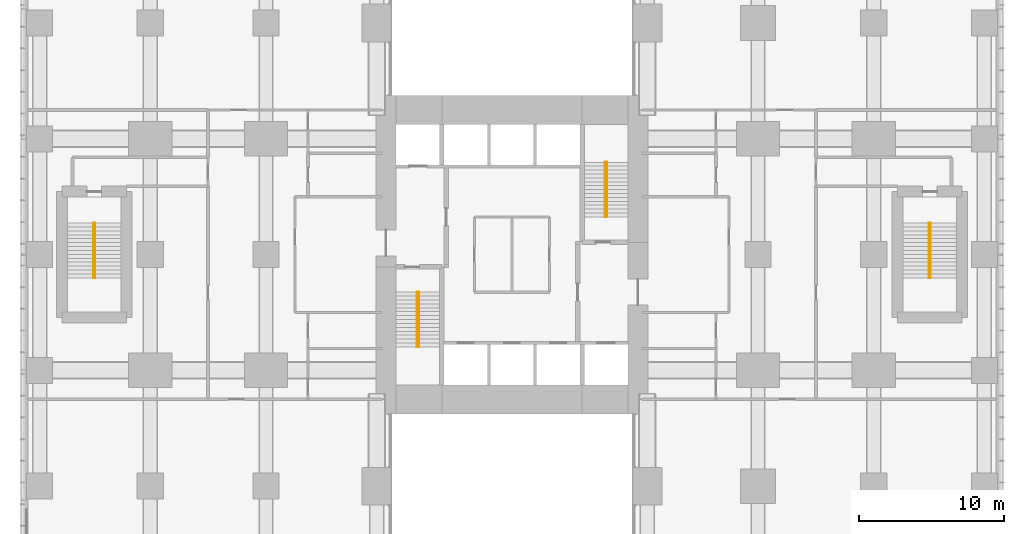
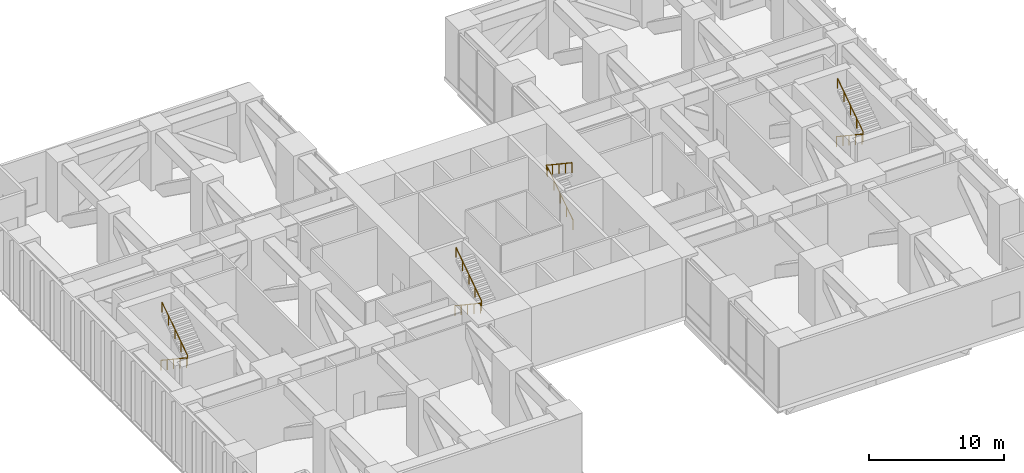
# One storey, part 15 of 15: 8 railings.
"""IFC4 building model written with IfcOpenShell, lengths in metres."""

from ifc_helpers import new_model, si_unit, direction, frame, origin, origin_2d, place, context, subcontext, project, spatial, circle, extrude, material, type_object, element, save


model = new_model("IFC4")

# Units and contexts
model_context = context("Model", 3, precision=1e-05, world=origin(), true_north=direction((0.0, 1.0)))
body_context = subcontext(model_context, "Body", "Model", "MODEL_VIEW")
ifc_project = project(units=[si_unit("LENGTHUNIT", "METRE"), si_unit("AREAUNIT", "SQUARE_METRE"), si_unit("VOLUMEUNIT", "CUBIC_METRE"), si_unit("PLANEANGLEUNIT", "RADIAN"), si_unit("MASSUNIT", "GRAM", prefix="KILO")], contexts=[model_context])

# Site, building, storey
site_placement = place(None, origin())
site = spatial("IfcSite", under=ifc_project, at=site_placement, CompositionType="ELEMENT")
building_placement = place(site_placement, origin())
building = spatial("IfcBuilding", under=site, at=building_placement, Name="Cleftline Residences", CompositionType="ELEMENT")
storey_placement = place(building_placement, frame((0.0, 0.0, 171.800048828125)))
storey = spatial("IfcBuildingStorey", under=building, at=storey_placement, Name="L45", CompositionType="ELEMENT", Elevation=171.800048828125)

# Railings
ifc_material = material(Name="Stainless steel", Category="steel")
railing_type = type_object("IfcRailingType", Name="HANDRAIL 900", PredefinedType="HANDRAIL", material=ifc_material)
railing_1_placement = place(storey_placement, frame((26.449951171875, 21.39990234375, 0.179931640625)))
element("IfcRailing", 1, at=railing_1_placement, inside=storey, type_object=railing_type, Name="Stair handrail", PredefinedType="HANDRAIL", context=body_context, shape_type="SweptSolid", body=[
    extrude(circle(Radius=0.02392578125, at=origin_2d()), frame((0.0, 0.0, 0.8759765625), z_axis=(0.0, -0.832033757966, 0.554724999982), x_axis=(1.0, 0.0, 0.0)), (0.0, 0.0, 1.0), 4.542724609375),
    extrude(circle(Radius=0.02099609375, at=origin_2d()), origin(), (0.0, 0.0, 1.0), 0.851806640625),
    extrude(circle(Radius=0.02099609375, at=origin_2d()), frame((0.0, -0.94482421875, 0.6298828125)), (0.0, 0.0, 1.0), 0.851806640625),
    extrude(circle(Radius=0.02099609375, at=origin_2d()), frame((0.0, -1.889892578125, 1.260009765625)), (0.0, 0.0, 1.0), 0.851806640625),
    extrude(circle(Radius=0.02099609375, at=origin_2d()), frame((0.0, -2.8349609375, 1.89013671875)), (0.0, 0.0, 1.0), 0.851806640625),
    extrude(circle(Radius=0.02099609375, at=origin_2d()), frame((0.0, -3.77978515625, 2.52001953125)), (0.0, 0.0, 1.0), 0.851806640625),
])
for number, where, name in (
    (2, (26.550048828125, 17.6201171875, 2.8798828125), "Stair handrail"),
    (3, (39.550048828125, 26.60009765625, 0.179931640625), "Stair handrail"),
):
    element("IfcRailing", number, at=place(storey_placement, frame(where)), inside=storey, type_object=railing_type, Name=name, PredefinedType="HANDRAIL", context=body_context, shape_type="SweptSolid", body=[
        extrude(circle(Radius=0.02392578125, at=origin_2d()), frame((0.0, 0.0, 0.8759765625), z_axis=(0.0, 0.832033757966, 0.554724999982), x_axis=(-1.0, 0.0, 0.0)), (0.0, 0.0, 1.0), 4.542724609375),
        extrude(circle(Radius=0.02099609375, at=origin_2d()), origin(), (0.0, 0.0, 1.0), 0.851806640625),
        extrude(circle(Radius=0.02099609375, at=origin_2d()), frame((0.0, 0.94482421875, 0.6298828125)), (0.0, 0.0, 1.0), 0.851806640625),
        extrude(circle(Radius=0.02099609375, at=origin_2d()), frame((0.0, 1.889892578125, 1.260009765625)), (0.0, 0.0, 1.0), 0.851806640625),
        extrude(circle(Radius=0.02099609375, at=origin_2d()), frame((0.0, 2.8349609375, 1.89013671875)), (0.0, 0.0, 1.0), 0.851806640625),
        extrude(circle(Radius=0.02099609375, at=origin_2d()), frame((0.0, 3.77978515625, 2.52001953125)), (0.0, 0.0, 1.0), 0.851806640625),
    ])
railing_2_placement = place(storey_placement, frame((39.449951171875, 30.3798828125, 2.8798828125)))
element("IfcRailing", 4, at=railing_2_placement, inside=storey, type_object=railing_type, Name="Stair handrail", PredefinedType="HANDRAIL", context=body_context, shape_type="SweptSolid", body=[
    extrude(circle(Radius=0.02392578125, at=origin_2d()), frame((0.0, 0.0, 0.8759765625), z_axis=(0.0, -0.832033757966, 0.554724999982), x_axis=(1.0, 0.0, 0.0)), (0.0, 0.0, 1.0), 4.542724609375),
    extrude(circle(Radius=0.02099609375, at=origin_2d()), origin(), (0.0, 0.0, 1.0), 0.851806640625),
    extrude(circle(Radius=0.02099609375, at=origin_2d()), frame((0.0, -0.94482421875, 0.6298828125)), (0.0, 0.0, 1.0), 0.851806640625),
    extrude(circle(Radius=0.02099609375, at=origin_2d()), frame((0.0, -1.889892578125, 1.260009765625)), (0.0, 0.0, 1.0), 0.851806640625),
    extrude(circle(Radius=0.02099609375, at=origin_2d()), frame((0.0, -2.8349609375, 1.89013671875)), (0.0, 0.0, 1.0), 0.851806640625),
    extrude(circle(Radius=0.02099609375, at=origin_2d()), frame((0.0, -3.77978515625, 2.52001953125)), (0.0, 0.0, 1.0), 0.851806640625),
])
railing_3_placement = place(storey_placement, frame((61.824951171875, 26.175048828125, 0.179931640625)))
element("IfcRailing", 5, at=railing_3_placement, inside=storey, type_object=railing_type, Name="Stair handrail", PredefinedType="HANDRAIL", context=body_context, shape_type="SweptSolid", body=[
    extrude(circle(Radius=0.02392578125, at=origin_2d()), frame((0.0, 0.0, 0.8759765625), z_axis=(0.0, -0.832050294338, 0.554700196225), x_axis=(1.0, 0.0, 0.0)), (0.0, 0.0, 1.0), 4.54296875),
    extrude(circle(Radius=0.02099609375, at=origin_2d()), origin(), (0.0, 0.0, 1.0), 0.851806640625),
    extrude(circle(Radius=0.02099609375, at=origin_2d()), frame((0.0, -0.945068359375, 0.6298828125)), (0.0, 0.0, 1.0), 0.851806640625),
    extrude(circle(Radius=0.02099609375, at=origin_2d()), frame((0.0, -1.89013671875, 1.260009765625)), (0.0, 0.0, 1.0), 0.851806640625),
    extrude(circle(Radius=0.02099609375, at=origin_2d()), frame((0.0, -2.8349609375, 1.89013671875)), (0.0, 0.0, 1.0), 0.851806640625),
    extrude(circle(Radius=0.02099609375, at=origin_2d()), frame((0.0, -3.780029296875, 2.52001953125)), (0.0, 0.0, 1.0), 0.851806640625),
])
railing_4_placement = place(storey_placement, frame((61.925048828125, 22.39501953125, 2.8798828125)))
element("IfcRailing", 6, at=railing_4_placement, inside=storey, type_object=railing_type, Name="Stair handrail", PredefinedType="HANDRAIL", context=body_context, shape_type="SweptSolid", body=[
    extrude(circle(Radius=0.02392578125, at=origin_2d()), frame((0.0, 0.0, 0.8759765625), z_axis=(0.0, 0.832050294338, 0.554700196225), x_axis=(-1.0, 0.0, 0.0)), (0.0, 0.0, 1.0), 4.54296875),
    extrude(circle(Radius=0.02099609375, at=origin_2d()), origin(), (0.0, 0.0, 1.0), 0.851806640625),
    extrude(circle(Radius=0.02099609375, at=origin_2d()), frame((0.0, 0.945068359375, 0.6298828125)), (0.0, 0.0, 1.0), 0.851806640625),
    extrude(circle(Radius=0.02099609375, at=origin_2d()), frame((0.0, 1.89013671875, 1.260009765625)), (0.0, 0.0, 1.0), 0.851806640625),
    extrude(circle(Radius=0.02099609375, at=origin_2d()), frame((0.0, 2.8349609375, 1.89013671875)), (0.0, 0.0, 1.0), 0.851806640625),
    extrude(circle(Radius=0.02099609375, at=origin_2d()), frame((0.0, 3.780029296875, 2.52001953125)), (0.0, 0.0, 1.0), 0.851806640625),
])
railing_5_placement = place(storey_placement, frame((4.074951171875, 26.175048828125, 0.179931640625)))
element("IfcRailing", 7, at=railing_5_placement, inside=storey, type_object=railing_type, Name="Stair handrail", PredefinedType="HANDRAIL", context=body_context, shape_type="SweptSolid", body=[
    extrude(circle(Radius=0.02392578125, at=origin_2d()), frame((0.0, 0.0, 0.8759765625), z_axis=(0.0, -0.832050294338, 0.554700196225), x_axis=(1.0, 0.0, 0.0)), (0.0, 0.0, 1.0), 4.54296875),
    extrude(circle(Radius=0.02099609375, at=origin_2d()), origin(), (0.0, 0.0, 1.0), 0.851806640625),
    extrude(circle(Radius=0.02099609375, at=origin_2d()), frame((0.0, -0.945068359375, 0.6298828125)), (0.0, 0.0, 1.0), 0.851806640625),
    extrude(circle(Radius=0.02099609375, at=origin_2d()), frame((0.0, -1.89013671875, 1.260009765625)), (0.0, 0.0, 1.0), 0.851806640625),
    extrude(circle(Radius=0.02099609375, at=origin_2d()), frame((0.0, -2.8349609375, 1.89013671875)), (0.0, 0.0, 1.0), 0.851806640625),
    extrude(circle(Radius=0.02099609375, at=origin_2d()), frame((0.0, -3.780029296875, 2.52001953125)), (0.0, 0.0, 1.0), 0.851806640625),
])
railing_6_placement = place(storey_placement, frame((4.175048828125, 22.39501953125, 2.8798828125)))
element("IfcRailing", 8, at=railing_6_placement, inside=storey, type_object=railing_type, Name="Stair handrail", PredefinedType="HANDRAIL", context=body_context, shape_type="SweptSolid", body=[
    extrude(circle(Radius=0.02392578125, at=origin_2d()), frame((0.0, 0.0, 0.8759765625), z_axis=(0.0, 0.832050294338, 0.554700196225), x_axis=(-1.0, 0.0, 0.0)), (0.0, 0.0, 1.0), 4.54296875),
    extrude(circle(Radius=0.02099609375, at=origin_2d()), origin(), (0.0, 0.0, 1.0), 0.851806640625),
    extrude(circle(Radius=0.02099609375, at=origin_2d()), frame((0.0, 0.945068359375, 0.6298828125)), (0.0, 0.0, 1.0), 0.851806640625),
    extrude(circle(Radius=0.02099609375, at=origin_2d()), frame((0.0, 1.89013671875, 1.260009765625)), (0.0, 0.0, 1.0), 0.851806640625),
    extrude(circle(Radius=0.02099609375, at=origin_2d()), frame((0.0, 2.8349609375, 1.89013671875)), (0.0, 0.0, 1.0), 0.851806640625),
    extrude(circle(Radius=0.02099609375, at=origin_2d()), frame((0.0, 3.780029296875, 2.52001953125)), (0.0, 0.0, 1.0), 0.851806640625),
])

save(model, "model.ifc")
